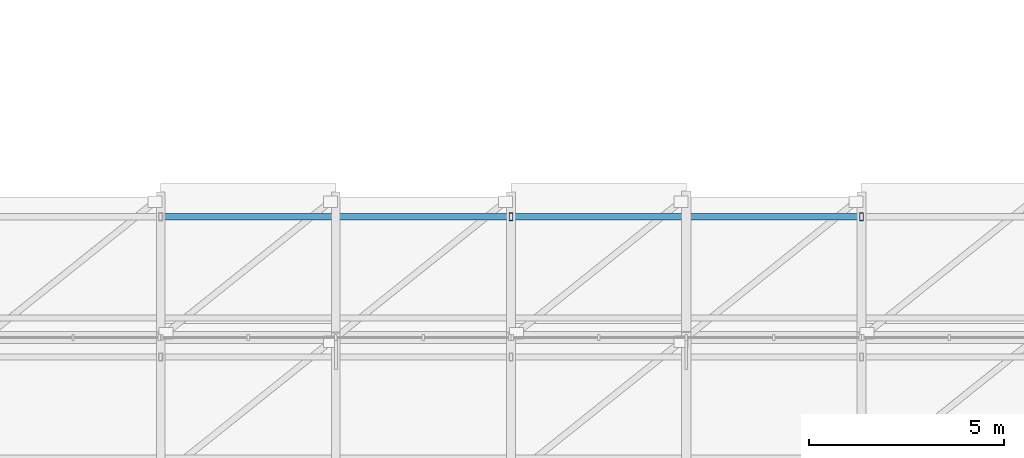
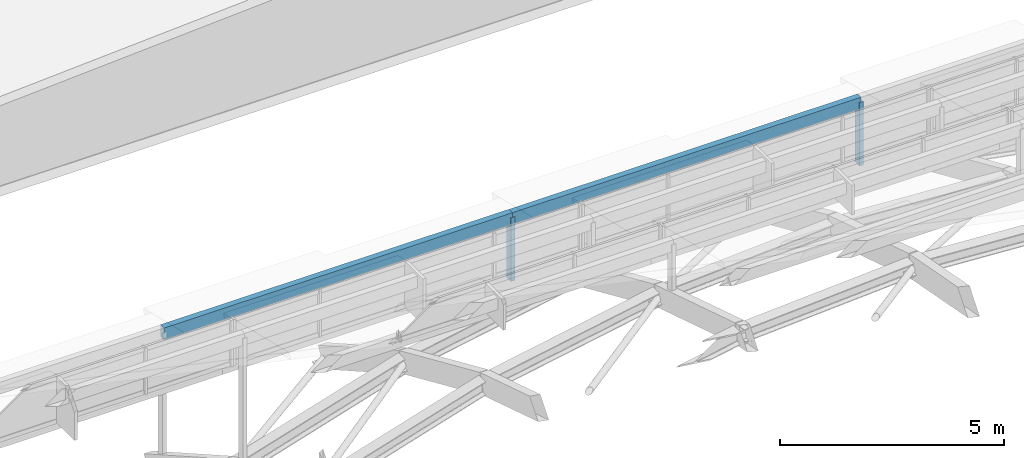
# One storey, part 33 of 69: 4 members.
"""IFC4 building model written with IfcOpenShell, lengths in metres."""

from ifc_helpers import new_model, si_unit, direction, frame, origin, origin_2d, place, context, subcontext, project, spatial, rectangle, hollow_rectangle, extrude, material, material_profile, profile_set, type_object, element, save


model = new_model("IFC4")

# Units and contexts
model_context = context("Model", 3, precision=1e-05, world=origin(), true_north=direction((0.0, 1.0)))
body_context = subcontext(model_context, "Body", "Model", "MODEL_VIEW")
ifc_project = project(units=[si_unit("LENGTHUNIT", "METRE"), si_unit("AREAUNIT", "SQUARE_METRE"), si_unit("VOLUMEUNIT", "CUBIC_METRE"), si_unit("PLANEANGLEUNIT", "RADIAN"), si_unit("MASSUNIT", "GRAM", prefix="KILO")], contexts=[model_context])

# Site, building, storey
site_placement = place(None, origin())
site = spatial("IfcSite", under=ifc_project, at=site_placement, CompositionType="ELEMENT")
building_placement = place(site_placement, origin())
building = spatial("IfcBuilding", under=site, at=building_placement, Name="Montealbar Specialist Clinic", CompositionType="ELEMENT")
storey_placement = place(building_placement, frame((0.0, 0.0, 9.60009765625)))
storey = spatial("IfcBuildingStorey", under=building, at=storey_placement, Name="L02", CompositionType="ELEMENT", Elevation=9.60009765625)

# Members
ifc_material_1 = material(Name="Glulam GL28h", Category="wood")
ifc_material_profile_1 = material_profile(ifc_material_1, rectangle(XDim=0.159912109375, YDim=0.320068359375, at=origin_2d()), Name="GL28h 160x320", Category="wood")
ifc_profile_set_1 = profile_set([ifc_material_profile_1], Name="Glulam GL28h")
member_type_1 = type_object("IfcMemberType", Name="MB-GS-PURLIN-GL-EXT", PredefinedType="PURLIN", material=ifc_profile_set_1)
for number, where, z_axis, x_axis, name in (
    (1, (63.0, 80.5, 6.9248046875), (1.0, 0.0, 0.0), (0.0, 1.0, 0.0), "Gridshell Glulam Purlin 10-2-2"),
    (2, (72.0, 80.5, 6.9248046875), (1.0, 0.0, 0.0), (0.0, 1.0, 0.0), "Gridshell Glulam Purlin 10-3-2"),
):
    element("IfcMember", number, at=place(storey_placement, frame(where, z_axis=z_axis, x_axis=x_axis)), inside=storey, type_object=member_type_1, Name=name, PredefinedType="PURLIN", context=body_context, shape_type="SweptSolid", body=[
        extrude(rectangle(XDim=0.159912109375, YDim=0.320068359375, at=origin_2d()), origin(), (0.0, 0.0, 1.0), 9.0),
    ])
ifc_material_2 = material(Name="Steel S355", Category="steel")
ifc_material_profile_2 = material_profile(ifc_material_2, hollow_rectangle(XDim=0.10009765625, YDim=0.199951171875, WallThickness=0.008056640625, at=origin_2d()), Name="RHS 200x100x8", Category="steel")
ifc_profile_set_2 = profile_set([ifc_material_profile_2], Name="Steel S355")
member_type_2 = type_object("IfcMemberType", Name="MB-GS-PURLIN-ST-EXT", PredefinedType="PURLIN", material=ifc_profile_set_2)
for number, where, z_axis, x_axis, name in (
    (3, (72.0, 80.5, 5.23291015625), (0.0, 0.0, 1.0), (1.0, 0.0, 0.0), "Gridshell Monitor Post 10-4"),
    (4, (81.0, 80.5, 5.23291015625), (0.0, 0.0, 1.0), (1.0, 0.0, 0.0), "Gridshell Monitor Post 10-6"),
):
    element("IfcMember", number, at=place(storey_placement, frame(where, z_axis=z_axis, x_axis=x_axis)), inside=storey, type_object=member_type_2, Name=name, PredefinedType="PURLIN", context=body_context, shape_type="SweptSolid", body=[
        extrude(hollow_rectangle(XDim=0.10009765625, YDim=0.199951171875, WallThickness=0.008056640625, at=origin_2d()), origin(), (0.0, 0.0, 1.0), 1.73388671875),
    ])

save(model, "model.ifc")
